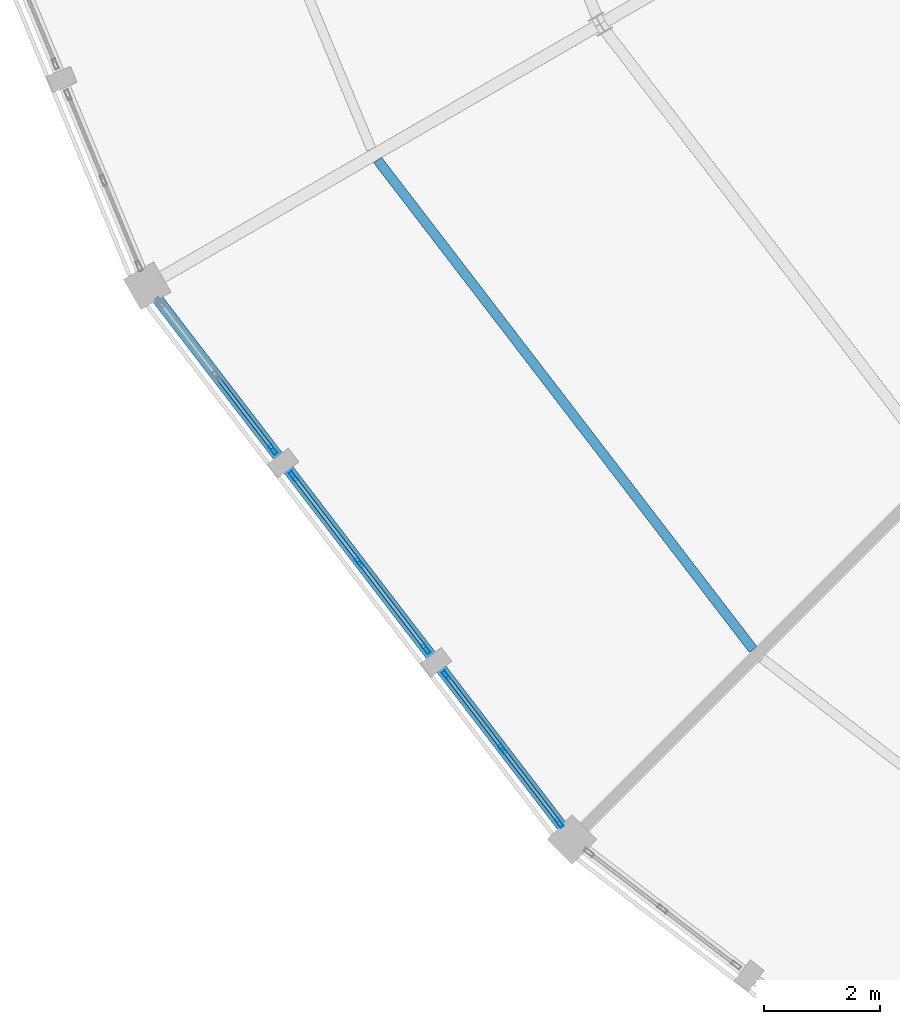
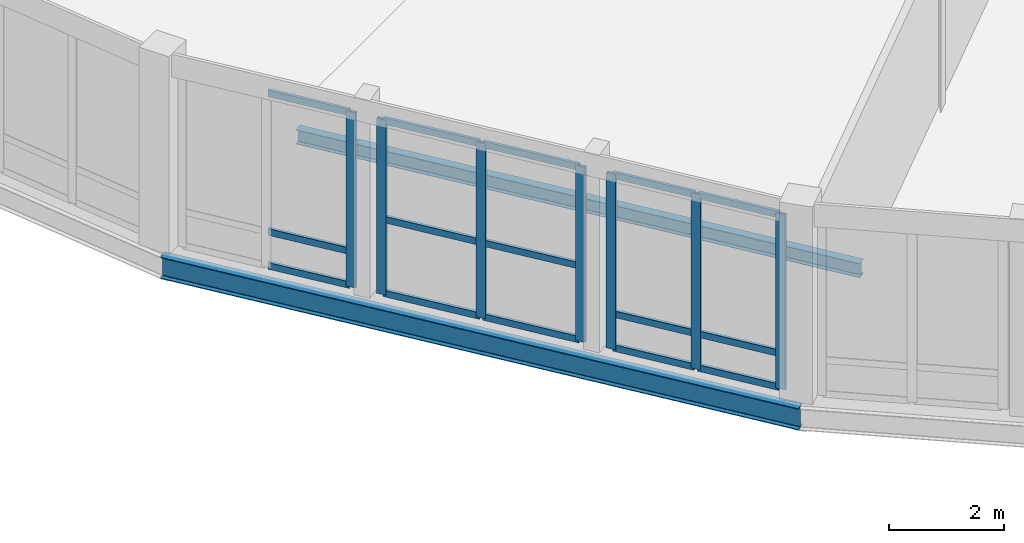
# One storey, part 35 of 170: 22 members, 2 beams, 3 elements without a shape of their own.
"""IFC4 building model written with IfcOpenShell, lengths in metres."""

from ifc_helpers import new_model, si_unit, direction, frame, origin, origin_2d, place, context, subcontext, project, spatial, hollow_rectangle, i_section, extrude, material, material_profile, profile_set, type_object, element, aggregate, save


model = new_model("IFC4")

# Units and contexts
model_context = context("Model", 3, precision=1e-05, world=origin(), true_north=direction((0.0, 1.0)))
body_context = subcontext(model_context, "Body", "Model", "MODEL_VIEW")
ifc_project = project(units=[si_unit("LENGTHUNIT", "METRE"), si_unit("AREAUNIT", "SQUARE_METRE"), si_unit("VOLUMEUNIT", "CUBIC_METRE"), si_unit("PLANEANGLEUNIT", "RADIAN"), si_unit("MASSUNIT", "GRAM", prefix="KILO")], contexts=[model_context])

# Site, building, storey
site_placement = place(None, origin())
site = spatial("IfcSite", under=ifc_project, at=site_placement, CompositionType="ELEMENT")
building_placement = place(site_placement, origin())
building = spatial("IfcBuilding", under=site, at=building_placement, Name="Vondelvale Polytechnic", CompositionType="ELEMENT")
storey_placement = place(building_placement, frame((0.0, 0.0, 5.39990234375)))
storey = spatial("IfcBuildingStorey", under=building, at=storey_placement, Name="L01", CompositionType="ELEMENT", Elevation=5.39990234375)

# Beam
ifc_material_1 = material(Name="Steel 300PLUS (fy = 300 MPa)", Category="steel")
ifc_material_profile_1 = material_profile(ifc_material_1, i_section(OverallWidth=0.18994140625, OverallDepth=0.45703125, WebThickness=0.009033203125, FlangeThickness=0.014404296875, FilletRadius=0.011474609375, at=origin_2d()), Name="460UB74.6")
ifc_profile_set_1 = profile_set([ifc_material_profile_1], Name="Steel 300PLUS (fy = 300 MPa)")
beam_type_1 = type_object("IfcBeamType", Name="BM-UB460", PredefinedType="BEAM", material=ifc_profile_set_1)
beam_1_placement = place(storey_placement, frame((62.162841796875, 49.0, -0.50830078125), z_axis=(0.608766116008, -0.793349743808, 0.0), x_axis=(0.793349743808, 0.608766116008, 0.0)))
element("IfcBeam", 1, at=beam_1_placement, inside=storey, type_object=beam_type_1, Name="L01 RB B-13", PredefinedType="BEAM", context=body_context, shape_type="SweptSolid", body=[
    extrude(i_section(OverallWidth=0.18994140625, OverallDepth=0.45703125, WebThickness=0.009033203125, FlangeThickness=0.014404296875, FilletRadius=0.011474609375, at=origin_2d()), origin(), (0.0, 0.0, 1.0), 12.00830078125),
])

# Curtain wall, member
ifc_material_2 = material(Name="Glulam GL18 structural Tasmanian oak (fb = 42 MPa)", Category="wood")
curtain_wall_type = type_object("IfcCurtainWallType", Name="CW-RING-OUTER", PredefinedType="NOTDEFINED", material=ifc_material_2)
curtain_wall_1_placement = place(storey_placement, origin())
curtain_wall_1 = element("IfcCurtainWall", 2, at=curtain_wall_1_placement, inside=storey, type_object=curtain_wall_type, Name="L01 architectural curtain wall CW-04-299", PredefinedType="NOTDEFINED")
ifc_material_3 = material(Name="Anodised extruded aluminium 6063-T6", Category="aluminium")
ifc_material_profile_2 = material_profile(ifc_material_3, hollow_rectangle(XDim=0.06494140625, YDim=0.179931640625, WallThickness=0.00390625, at=origin_2d()), Name="CW-MUL-180x65")
ifc_profile_set_2 = profile_set([ifc_material_profile_2], Name="Anodised extruded aluminium 6063-T6")
member_type_1 = type_object("IfcMemberType", Name="CW-MUL-65x180", PredefinedType="MULLION", material=ifc_profile_set_2)
member_1_placement = place(storey_placement, frame((64.3271484375, 46.179443359375, 0.0), z_axis=(0.0, 0.0, 1.0), x_axis=(0.793333825656, 0.608786860133, 0.0)))
member_1 = element("IfcMember", 3, at=member_1_placement, type_object=member_type_1, Name="CW-04-299 mullion 3", PredefinedType="MULLION", context=body_context, shape_type="SweptSolid", body=[
    extrude(hollow_rectangle(XDim=0.06494140625, YDim=0.179931640625, WallThickness=0.00390625, at=origin_2d()), origin(), (0.0, 0.0, 1.0), 3.72021484375),
])

# Curtain wall, members
curtain_wall_2_placement = place(storey_placement, origin())
curtain_wall_2 = element("IfcCurtainWall", 4, at=curtain_wall_2_placement, inside=storey, type_object=curtain_wall_type, Name="L01 architectural curtain wall CW-04-300", PredefinedType="NOTDEFINED")
member_2_placement = place(storey_placement, frame((64.677001953125, 45.723388671875, 0.0), z_axis=(0.0, 0.0, 1.0), x_axis=(0.793345851043, 0.608771189063, 0.0)))
member_2 = element("IfcMember", 5, at=member_2_placement, type_object=member_type_1, Name="CW-04-300 mullion 1", PredefinedType="MULLION", context=body_context, shape_type="SweptSolid", body=[
    extrude(hollow_rectangle(XDim=0.06494140625, YDim=0.179931640625, WallThickness=0.00390625, at=origin_2d()), origin(), (0.0, 0.0, 1.0), 3.72021484375),
])
member_3_placement = place(storey_placement, frame((65.81787109375, 44.236572265625, 0.0), z_axis=(0.0, 0.0, 1.0), x_axis=(0.793345851043, 0.608771189063, 0.0)))
member_3 = element("IfcMember", 6, at=member_3_placement, type_object=member_type_1, Name="CW-04-300 mullion 2", PredefinedType="MULLION", context=body_context, shape_type="SweptSolid", body=[
    extrude(hollow_rectangle(XDim=0.06494140625, YDim=0.179931640625, WallThickness=0.00390625, at=origin_2d()), origin(), (0.0, 0.0, 1.0), 3.72021484375),
])
member_4_placement = place(storey_placement, frame((66.958740234375, 42.749755859375, 0.0), z_axis=(0.0, 0.0, 1.0), x_axis=(0.793345851043, 0.608771189063, 0.0)))
member_4 = element("IfcMember", 7, at=member_4_placement, type_object=member_type_1, Name="CW-04-300 mullion 3", PredefinedType="MULLION", context=body_context, shape_type="SweptSolid", body=[
    extrude(hollow_rectangle(XDim=0.06494140625, YDim=0.179931640625, WallThickness=0.00390625, at=origin_2d()), origin(), (0.0, 0.0, 1.0), 3.72021484375),
])

curtain_wall_3_placement = place(storey_placement, origin())
curtain_wall_3 = element("IfcCurtainWall", 8, at=curtain_wall_3_placement, inside=storey, type_object=curtain_wall_type, Name="L01 architectural curtain wall CW-04-301", PredefinedType="NOTDEFINED")
member_5_placement = place(storey_placement, frame((67.308837890625, 42.293701171875, 0.0), z_axis=(0.0, 0.0, 1.0), x_axis=(0.793333825656, 0.608786860133, 0.0)))
member_5 = element("IfcMember", 9, at=member_5_placement, type_object=member_type_1, Name="CW-04-301 mullion 1", PredefinedType="MULLION", context=body_context, shape_type="SweptSolid", body=[
    extrude(hollow_rectangle(XDim=0.06494140625, YDim=0.179931640625, WallThickness=0.00390625, at=origin_2d()), origin(), (0.0, 0.0, 1.0), 3.72021484375),
])
member_6_placement = place(storey_placement, frame((68.27978515625, 41.0283203125, 0.0), z_axis=(0.0, 0.0, 1.0), x_axis=(0.793333825656, 0.608786860133, 0.0)))
member_6 = element("IfcMember", 10, at=member_6_placement, type_object=member_type_1, Name="CW-04-301 mullion 2", PredefinedType="MULLION", context=body_context, shape_type="SweptSolid", body=[
    extrude(hollow_rectangle(XDim=0.06494140625, YDim=0.179931640625, WallThickness=0.00390625, at=origin_2d()), origin(), (0.0, 0.0, 1.0), 3.72021484375),
])
member_7_placement = place(storey_placement, frame((69.250732421875, 39.762939453125, 0.0), z_axis=(0.0, 0.0, 1.0), x_axis=(0.793333825656, 0.608786860133, 0.0)))
member_7 = element("IfcMember", 11, at=member_7_placement, type_object=member_type_1, Name="CW-04-301 mullion 3", PredefinedType="MULLION", context=body_context, shape_type="SweptSolid", body=[
    extrude(hollow_rectangle(XDim=0.06494140625, YDim=0.179931640625, WallThickness=0.00390625, at=origin_2d()), origin(), (0.0, 0.0, 1.0), 3.72021484375),
])

# Member
ifc_material_profile_3 = material_profile(ifc_material_3, hollow_rectangle(XDim=0.06005859375, YDim=0.139892578125, WallThickness=0.00341796875, at=origin_2d()), Name="CW-TRN-140x60")
ifc_profile_set_3 = profile_set([ifc_material_profile_3], Name="Anodised extruded aluminium 6063-T6")
member_type_2 = type_object("IfcMemberType", Name="CW-TRN-60x140", PredefinedType="USERDEFINED", material=ifc_profile_set_3)
member_8_placement = place(storey_placement, frame((63.3759765625, 47.4189453125, 0.030029296875), z_axis=(0.60882345649, -0.793305741078, 0.0), x_axis=(0.793305741078, 0.60882345649, 0.0)))
member_8 = element("IfcMember", 12, at=member_8_placement, type_object=member_type_2, Name="CW-04-299 transom 2.1", ObjectType="TRANSOM", PredefinedType="USERDEFINED", context=body_context, shape_type="SweptSolid", body=[
    extrude(hollow_rectangle(XDim=0.06005859375, YDim=0.139892578125, WallThickness=0.00341796875, at=origin_2d()), origin(), (0.0, 0.0, 1.0), 1.52978515625),
])

member_9_placement = place(storey_placement, frame((63.3759765625, 47.4189453125, 0.75), z_axis=(0.60882345649, -0.793305741078, 0.0), x_axis=(0.793305741078, 0.60882345649, 0.0)))
member_9 = element("IfcMember", 13, at=member_9_placement, type_object=member_type_2, Name="CW-04-299 transom 2.2", ObjectType="TRANSOM", PredefinedType="USERDEFINED", context=body_context, shape_type="SweptSolid", body=[
    extrude(hollow_rectangle(XDim=0.06005859375, YDim=0.139892578125, WallThickness=0.00341796875, at=origin_2d()), origin(), (0.0, 0.0, 1.0), 1.52978515625),
])

member_10_placement = place(storey_placement, frame((63.3759765625, 47.4189453125, 3.690185546875), z_axis=(0.60882345649, -0.793305741078, 0.0), x_axis=(0.793305741078, 0.60882345649, 0.0)))
member_10 = element("IfcMember", 14, at=member_10_placement, type_object=member_type_2, Name="CW-04-299 transom 2.3", ObjectType="TRANSOM", PredefinedType="USERDEFINED", context=body_context, shape_type="SweptSolid", body=[
    extrude(hollow_rectangle(XDim=0.06005859375, YDim=0.139892578125, WallThickness=0.00341796875, at=origin_2d()), origin(), (0.0, 0.0, 1.0), 1.52978515625),
])

aggregate(curtain_wall_1, [member_1, member_8, member_9, member_10])

member_11_placement = place(storey_placement, frame((64.69677734375, 45.697509765625, 0.030029296875), z_axis=(0.608816809849, -0.793310842007, 0.0), x_axis=(0.793310842007, 0.608816809849, 0.0)))
member_11 = element("IfcMember", 15, at=member_11_placement, type_object=member_type_2, Name="CW-04-300 transom 1.1", ObjectType="TRANSOM", PredefinedType="USERDEFINED", context=body_context, shape_type="SweptSolid", body=[
    extrude(hollow_rectangle(XDim=0.06005859375, YDim=0.139892578125, WallThickness=0.00341796875, at=origin_2d()), origin(), (0.0, 0.0, 1.0), 1.808837890625),
])

member_12_placement = place(storey_placement, frame((64.69677734375, 45.697509765625, 1.60009765625), z_axis=(0.608816809849, -0.793310842007, 0.0), x_axis=(0.793310842007, 0.608816809849, 0.0)))
member_12 = element("IfcMember", 16, at=member_12_placement, type_object=member_type_2, Name="CW-04-300 transom 1.2", ObjectType="TRANSOM", PredefinedType="USERDEFINED", context=body_context, shape_type="SweptSolid", body=[
    extrude(hollow_rectangle(XDim=0.06005859375, YDim=0.139892578125, WallThickness=0.00341796875, at=origin_2d()), origin(), (0.0, 0.0, 1.0), 1.808837890625),
])

member_13_placement = place(storey_placement, frame((64.69677734375, 45.697509765625, 3.690185546875), z_axis=(0.608816809849, -0.793310842007, 0.0), x_axis=(0.793310842007, 0.608816809849, 0.0)))
member_13 = element("IfcMember", 17, at=member_13_placement, type_object=member_type_2, Name="CW-04-300 transom 1.3", ObjectType="TRANSOM", PredefinedType="USERDEFINED", context=body_context, shape_type="SweptSolid", body=[
    extrude(hollow_rectangle(XDim=0.06005859375, YDim=0.139892578125, WallThickness=0.00341796875, at=origin_2d()), origin(), (0.0, 0.0, 1.0), 1.808837890625),
])

member_14_placement = place(storey_placement, frame((65.837646484375, 44.210693359375, 0.030029296875), z_axis=(0.608816809849, -0.793310842007, 0.0), x_axis=(0.793310842007, 0.608816809849, 0.0)))
member_14 = element("IfcMember", 18, at=member_14_placement, type_object=member_type_2, Name="CW-04-300 transom 2.1", ObjectType="TRANSOM", PredefinedType="USERDEFINED", context=body_context, shape_type="SweptSolid", body=[
    extrude(hollow_rectangle(XDim=0.06005859375, YDim=0.139892578125, WallThickness=0.00341796875, at=origin_2d()), origin(), (0.0, 0.0, 1.0), 1.808837890625),
])

member_15_placement = place(storey_placement, frame((65.837646484375, 44.210693359375, 1.60009765625), z_axis=(0.608816809849, -0.793310842007, 0.0), x_axis=(0.793310842007, 0.608816809849, 0.0)))
member_15 = element("IfcMember", 19, at=member_15_placement, type_object=member_type_2, Name="CW-04-300 transom 2.2", ObjectType="TRANSOM", PredefinedType="USERDEFINED", context=body_context, shape_type="SweptSolid", body=[
    extrude(hollow_rectangle(XDim=0.06005859375, YDim=0.139892578125, WallThickness=0.00341796875, at=origin_2d()), origin(), (0.0, 0.0, 1.0), 1.808837890625),
])

member_16_placement = place(storey_placement, frame((65.837646484375, 44.210693359375, 3.690185546875), z_axis=(0.608816809849, -0.793310842007, 0.0), x_axis=(0.793310842007, 0.608816809849, 0.0)))
member_16 = element("IfcMember", 20, at=member_16_placement, type_object=member_type_2, Name="CW-04-300 transom 2.3", ObjectType="TRANSOM", PredefinedType="USERDEFINED", context=body_context, shape_type="SweptSolid", body=[
    extrude(hollow_rectangle(XDim=0.06005859375, YDim=0.139892578125, WallThickness=0.00341796875, at=origin_2d()), origin(), (0.0, 0.0, 1.0), 1.808837890625),
])

aggregate(curtain_wall_2, [member_2, member_3, member_4, member_11, member_12, member_13, member_14, member_15, member_16])

member_17_placement = place(storey_placement, frame((67.32861328125, 42.267822265625, 0.030029296875), z_axis=(0.608746385664, -0.793364883229, 0.0), x_axis=(0.793364883229, 0.608746385664, 0.0)))
member_17 = element("IfcMember", 21, at=member_17_placement, type_object=member_type_2, Name="CW-04-301 transom 1.1", ObjectType="TRANSOM", PredefinedType="USERDEFINED", context=body_context, shape_type="SweptSolid", body=[
    extrude(hollow_rectangle(XDim=0.06005859375, YDim=0.139892578125, WallThickness=0.00341796875, at=origin_2d()), origin(), (0.0, 0.0, 1.0), 1.530029296875),
])

member_18_placement = place(storey_placement, frame((67.32861328125, 42.267822265625, 0.75), z_axis=(0.608746385664, -0.793364883229, 0.0), x_axis=(0.793364883229, 0.608746385664, 0.0)))
member_18 = element("IfcMember", 22, at=member_18_placement, type_object=member_type_2, Name="CW-04-301 transom 1.2", ObjectType="TRANSOM", PredefinedType="USERDEFINED", context=body_context, shape_type="SweptSolid", body=[
    extrude(hollow_rectangle(XDim=0.06005859375, YDim=0.139892578125, WallThickness=0.00341796875, at=origin_2d()), origin(), (0.0, 0.0, 1.0), 1.530029296875),
])

member_19_placement = place(storey_placement, frame((67.32861328125, 42.267822265625, 3.690185546875), z_axis=(0.608746385664, -0.793364883229, 0.0), x_axis=(0.793364883229, 0.608746385664, 0.0)))
member_19 = element("IfcMember", 23, at=member_19_placement, type_object=member_type_2, Name="CW-04-301 transom 1.3", ObjectType="TRANSOM", PredefinedType="USERDEFINED", context=body_context, shape_type="SweptSolid", body=[
    extrude(hollow_rectangle(XDim=0.06005859375, YDim=0.139892578125, WallThickness=0.00341796875, at=origin_2d()), origin(), (0.0, 0.0, 1.0), 1.530029296875),
])

member_20_placement = place(storey_placement, frame((68.299560546875, 41.00244140625, 0.030029296875), z_axis=(0.608746385664, -0.793364883229, 0.0), x_axis=(0.793364883229, 0.608746385664, 0.0)))
member_20 = element("IfcMember", 24, at=member_20_placement, type_object=member_type_2, Name="CW-04-301 transom 2.1", ObjectType="TRANSOM", PredefinedType="USERDEFINED", context=body_context, shape_type="SweptSolid", body=[
    extrude(hollow_rectangle(XDim=0.06005859375, YDim=0.139892578125, WallThickness=0.00341796875, at=origin_2d()), origin(), (0.0, 0.0, 1.0), 1.530029296875),
])

member_21_placement = place(storey_placement, frame((68.299560546875, 41.00244140625, 0.75), z_axis=(0.608746385664, -0.793364883229, 0.0), x_axis=(0.793364883229, 0.608746385664, 0.0)))
member_21 = element("IfcMember", 25, at=member_21_placement, type_object=member_type_2, Name="CW-04-301 transom 2.2", ObjectType="TRANSOM", PredefinedType="USERDEFINED", context=body_context, shape_type="SweptSolid", body=[
    extrude(hollow_rectangle(XDim=0.06005859375, YDim=0.139892578125, WallThickness=0.00341796875, at=origin_2d()), origin(), (0.0, 0.0, 1.0), 1.530029296875),
])

member_22_placement = place(storey_placement, frame((68.299560546875, 41.00244140625, 3.690185546875), z_axis=(0.608746385664, -0.793364883229, 0.0), x_axis=(0.793364883229, 0.608746385664, 0.0)))
member_22 = element("IfcMember", 26, at=member_22_placement, type_object=member_type_2, Name="CW-04-301 transom 2.3", ObjectType="TRANSOM", PredefinedType="USERDEFINED", context=body_context, shape_type="SweptSolid", body=[
    extrude(hollow_rectangle(XDim=0.06005859375, YDim=0.139892578125, WallThickness=0.00341796875, at=origin_2d()), origin(), (0.0, 0.0, 1.0), 1.530029296875),
])

aggregate(curtain_wall_3, [member_5, member_6, member_7, member_17, member_18, member_19, member_20, member_21, member_22])

# Beam
ifc_material_profile_4 = material_profile(ifc_material_1, i_section(OverallWidth=0.1650390625, OverallDepth=0.303955078125, WebThickness=0.006103515625, FlangeThickness=0.01025390625, FilletRadius=0.011474609375, at=origin_2d()), Name="310UB40.4")
ifc_profile_set_4 = profile_set([ifc_material_profile_4], Name="Steel 300PLUS (fy = 300 MPa)")
beam_type_2 = type_object("IfcBeamType", Name="JST-UB310", PredefinedType="JOIST", material=ifc_profile_set_4)
beam_2_placement = place(storey_placement, frame((66.126953125, 51.16259765625, -0.431884765625), z_axis=(0.608770977523, -0.793346013368, 0.0), x_axis=(0.793346013368, 0.608770977523, 0.0)))
element("IfcBeam", 27, at=beam_2_placement, inside=storey, type_object=beam_type_2, Name="L01 RJ J-05", PredefinedType="JOIST", context=body_context, shape_type="SweptSolid", body=[
    extrude(i_section(OverallWidth=0.1650390625, OverallDepth=0.303955078125, WebThickness=0.006103515625, FlangeThickness=0.01025390625, FilletRadius=0.011474609375, at=origin_2d()), origin(), (0.0, 0.0, 1.0), 10.613525390625),
])

save(model, "model.ifc")
